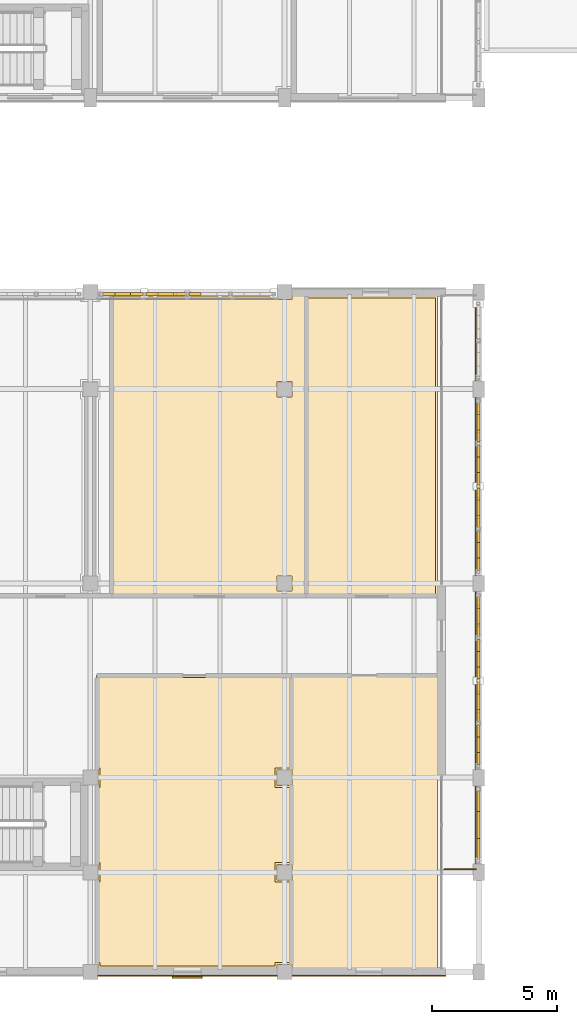
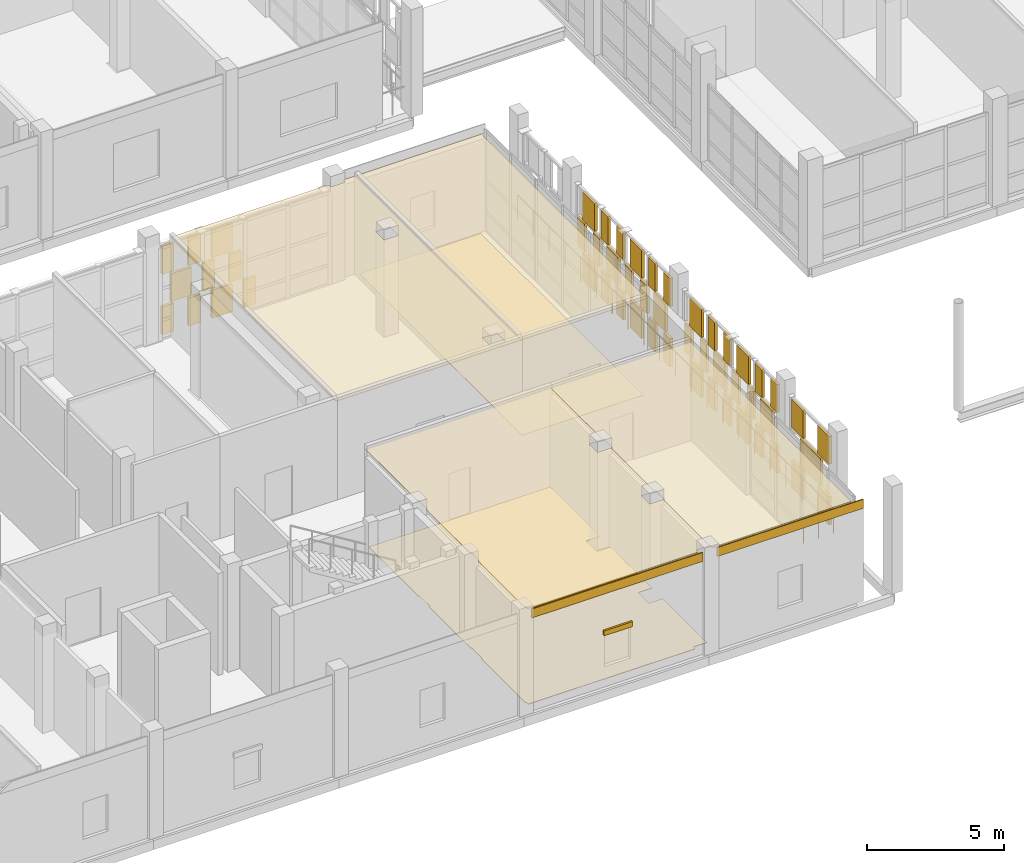
# One storey, part 120 of 138: 59 coverings, 2 railings, 1 shading device.
"""IFC4 building model written with IfcOpenShell, lengths in metres."""

from ifc_helpers import new_model, si_unit, direction, frame, origin, origin_2d, place, context, subcontext, project, spatial, polyline, rectangle, circle, outline, extrude, material, layer, layer_set, type_object, element, save


model = new_model("IFC4")

# Units and contexts
model_context = context("Model", 3, precision=1e-05, world=origin(), true_north=direction((0.0, 1.0)))
body_context = subcontext(model_context, "Body", "Model", "MODEL_VIEW")
ifc_project = project(units=[si_unit("LENGTHUNIT", "METRE"), si_unit("AREAUNIT", "SQUARE_METRE"), si_unit("VOLUMEUNIT", "CUBIC_METRE"), si_unit("PLANEANGLEUNIT", "RADIAN"), si_unit("MASSUNIT", "GRAM", prefix="KILO")], contexts=[model_context])

# Site, building, storey
site_placement = place(None, origin())
site = spatial("IfcSite", under=ifc_project, at=site_placement, CompositionType="ELEMENT")
building_placement = place(site_placement, origin())
building = spatial("IfcBuilding", under=site, at=building_placement, Name="Celorna Specialist Clinic", CompositionType="ELEMENT")
storey_placement = place(building_placement, frame((0.0, 0.0, 4.800048828125)))
storey = spatial("IfcBuildingStorey", under=building, at=storey_placement, Name="L01", CompositionType="ELEMENT", Elevation=4.800048828125)

# Railings
ifc_material_1 = material(Name="Stainless steel and laminated glass balustrade", Category="steel")
railing_type = type_object("IfcRailingType", Name="BL-01", PredefinedType="BALUSTRADE", material=ifc_material_1)
railing_1_placement = place(storey_placement, frame((46.679931640625, 27.179931640625, 0.0)))
element("IfcRailing", 1, at=railing_1_placement, inside=storey, type_object=railing_type, Name="Pharmacy Forecourt Veranda perimeter balustrade 3", PredefinedType="BALUSTRADE", context=body_context, shape_type="SweptSolid", body=[
    extrude(circle(Radius=0.02392578125, at=origin_2d()), frame((0.0, 0.0, 1.09619140625), z_axis=(0.0, -1.0, 0.0), x_axis=(1.0, 0.0, 0.0)), (0.0, 0.0, 1.0), 23.059814453125),
    extrude(circle(Radius=0.02099609375, at=origin_2d()), origin(), (0.0, 0.0, 1.0), 1.072021484375),
    extrude(circle(Radius=0.02099609375, at=origin_2d()), frame((0.0, -1.153076171875, 0.0)), (0.0, 0.0, 1.0), 1.072021484375),
    extrude(circle(Radius=0.02099609375, at=origin_2d()), frame((0.0, -2.305908203125, 0.0)), (0.0, 0.0, 1.0), 1.072021484375),
    extrude(circle(Radius=0.02099609375, at=origin_2d()), frame((0.0, -3.458984375, 0.0)), (0.0, 0.0, 1.0), 1.072021484375),
    extrude(circle(Radius=0.02099609375, at=origin_2d()), frame((0.0, -4.612060546875, 0.0)), (0.0, 0.0, 1.0), 1.072021484375),
    extrude(circle(Radius=0.02099609375, at=origin_2d()), frame((0.0, -5.764892578125, 0.0)), (0.0, 0.0, 1.0), 1.072021484375),
    extrude(circle(Radius=0.02099609375, at=origin_2d()), frame((0.0, -6.91796875, 0.0)), (0.0, 0.0, 1.0), 1.072021484375),
    extrude(circle(Radius=0.02099609375, at=origin_2d()), frame((0.0, -8.071044921875, 0.0)), (0.0, 0.0, 1.0), 1.072021484375),
    extrude(circle(Radius=0.02099609375, at=origin_2d()), frame((0.0, -9.223876953125, 0.0)), (0.0, 0.0, 1.0), 1.072021484375),
    extrude(circle(Radius=0.02099609375, at=origin_2d()), frame((0.0, -10.376953125, 0.0)), (0.0, 0.0, 1.0), 1.072021484375),
    extrude(circle(Radius=0.02099609375, at=origin_2d()), frame((0.0, -11.52978515625, 0.0)), (0.0, 0.0, 1.0), 1.072021484375),
    extrude(circle(Radius=0.02099609375, at=origin_2d()), frame((0.0, -12.682861328125, 0.0)), (0.0, 0.0, 1.0), 1.072021484375),
    extrude(circle(Radius=0.02099609375, at=origin_2d()), frame((0.0, -13.8359375, 0.0)), (0.0, 0.0, 1.0), 1.072021484375),
    extrude(circle(Radius=0.02099609375, at=origin_2d()), frame((0.0, -14.98876953125, 0.0)), (0.0, 0.0, 1.0), 1.072021484375),
    extrude(circle(Radius=0.02099609375, at=origin_2d()), frame((0.0, -16.141845703125, 0.0)), (0.0, 0.0, 1.0), 1.072021484375),
    extrude(circle(Radius=0.02099609375, at=origin_2d()), frame((0.0, -17.294921875, 0.0)), (0.0, 0.0, 1.0), 1.072021484375),
    extrude(circle(Radius=0.02099609375, at=origin_2d()), frame((0.0, -18.44775390625, 0.0)), (0.0, 0.0, 1.0), 1.072021484375),
    extrude(circle(Radius=0.02099609375, at=origin_2d()), frame((0.0, -19.600830078125, 0.0)), (0.0, 0.0, 1.0), 1.072021484375),
    extrude(circle(Radius=0.02099609375, at=origin_2d()), frame((0.0, -20.75390625, 0.0)), (0.0, 0.0, 1.0), 1.072021484375),
    extrude(circle(Radius=0.02099609375, at=origin_2d()), frame((0.0, -21.90673828125, 0.0)), (0.0, 0.0, 1.0), 1.072021484375),
    extrude(circle(Radius=0.02099609375, at=origin_2d()), frame((0.0, -23.059814453125, 0.0)), (0.0, 0.0, 1.0), 1.072021484375),
])
railing_2_placement = place(storey_placement, frame((46.679931640625, 4.1201171875, 0.0)))
element("IfcRailing", 2, at=railing_2_placement, inside=storey, type_object=railing_type, Name="Pharmacy Forecourt Veranda perimeter balustrade 4", PredefinedType="BALUSTRADE", context=body_context, shape_type="SweptSolid", body=[
    extrude(circle(Radius=0.02392578125, at=origin_2d()), frame((0.0, 0.0, 1.09619140625), z_axis=(-1.0, 0.0, 0.0), x_axis=(0.0, -1.0, 0.0)), (0.0, 0.0, 1.0), 1.260009765625),
    extrude(circle(Radius=0.02099609375, at=origin_2d()), origin(), (0.0, 0.0, 1.0), 1.072021484375),
    extrude(circle(Radius=0.02099609375, at=origin_2d()), frame((-0.6298828125, 0.0, 0.0)), (0.0, 0.0, 1.0), 1.072021484375),
    extrude(circle(Radius=0.02099609375, at=origin_2d()), frame((-1.260009765625, 0.0, 0.0)), (0.0, 0.0, 1.0), 1.072021484375),
])

# Coverings
ifc_material_2 = material(Name="Hygienic acoustic mineral-fibre ceiling")
ifc_layer_1 = layer(ifc_material_2, 0.030029296875, Name="Hygienic acoustic mineral-fibre ceiling")
ifc_layer_set_1 = layer_set([ifc_layer_1], Name="Hygienic acoustic mineral-fibre ceiling")
covering_type_1 = type_object("IfcCoveringType", Name="CE-01", PredefinedType="CEILING", material=ifc_layer_set_1)
covering_1_placement = place(storey_placement, frame((0.0, 0.0, 4.329833984375)))
element("IfcCovering", 3, at=covering_1_placement, inside=storey, type_object=covering_type_1, Name="Acoustic ceiling L01-097", PredefinedType="CEILING", context=body_context, shape_type="SweptSolid", body=[
    extrude(outline(polyline([(31.455078125, 3.695068359375), (31.5048828125, 3.695068359375), (31.5048828125, 4.304931640625), (31.455078125, 4.304931640625), (31.455078125, 7.4951171875), (31.5048828125, 7.4951171875), (31.5048828125, 8.10498046875), (31.455078125, 8.10498046875), (31.455078125, 11.9150390625), (39.284912109375, 11.9150390625), (39.284912109375, 8.10498046875), (38.695068359375, 8.10498046875), (38.695068359375, 7.4951171875), (39.284912109375, 7.4951171875), (39.284912109375, 4.304931640625), (38.695068359375, 4.304931640625), (38.695068359375, 3.695068359375), (39.284912109375, 3.695068359375), (39.284912109375, 0.304931640625), (38.695068359375, 0.304931640625), (38.695068359375, 0.155029296875), (31.5048828125, 0.155029296875), (31.5048828125, 0.304931640625), (31.455078125, 0.304931640625), (31.455078125, 3.695068359375)])), origin(), (0.0, 0.0, 1.0), 0.030029296875),
])
covering_2_placement = place(storey_placement, frame((0.0, 0.0, 4.329833984375)))
element("IfcCovering", 4, at=covering_2_placement, inside=storey, type_object=covering_type_1, Name="Acoustic ceiling L01-098", PredefinedType="CEILING", context=body_context, shape_type="SweptSolid", body=[
    extrude(outline(polyline([(39.2548828125, 3.695068359375), (39.304931640625, 3.695068359375), (39.304931640625, 4.304931640625), (39.2548828125, 4.304931640625), (39.2548828125, 7.4951171875), (39.304931640625, 7.4951171875), (39.304931640625, 8.10498046875), (39.2548828125, 8.10498046875), (39.2548828125, 11.9150390625), (45.14501953125, 11.9150390625), (45.14501953125, 0.155029296875), (39.304931640625, 0.155029296875), (39.304931640625, 0.304931640625), (39.2548828125, 0.304931640625), (39.2548828125, 3.695068359375)])), origin(), (0.0, 0.0, 1.0), 0.030029296875),
])
covering_3_placement = place(storey_placement, frame((0.0, 0.0, 4.329833984375)))
element("IfcCovering", 5, at=covering_3_placement, inside=storey, type_object=covering_type_1, Name="Acoustic ceiling L01-102", PredefinedType="CEILING", context=body_context, shape_type="SweptSolid", body=[
    extrude(outline(polyline([(38.695068359375, 27.14501953125), (38.695068359375, 26.9951171875), (39.304931640625, 26.9951171875), (39.304931640625, 27.14501953125), (39.885009765625, 27.14501953125), (39.885009765625, 15.0849609375), (32.054931640625, 15.0849609375), (32.054931640625, 27.14501953125), (38.695068359375, 27.14501953125)]), holes=[polyline([(39.304931640625, 15.905029296875), (38.695068359375, 15.905029296875), (38.695068359375, 15.294921875), (39.304931640625, 15.294921875), (39.304931640625, 15.905029296875)]), polyline([(39.304931640625, 23.094970703125), (39.304931640625, 23.705078125), (38.695068359375, 23.705078125), (38.695068359375, 23.094970703125), (39.304931640625, 23.094970703125)])]), origin(), (0.0, 0.0, 1.0), 0.030029296875),
])
covering_4_placement = place(storey_placement, frame((0.0, 0.0, 4.329833984375)))
element("IfcCovering", 6, at=covering_4_placement, inside=storey, type_object=covering_type_1, Name="Acoustic ceiling L01-103", PredefinedType="CEILING", context=body_context, shape_type="SweptSolid", body=[
    extrude(outline(polyline([(45.14501953125, 27.14501953125), (45.14501953125, 15.0849609375), (39.85498046875, 15.0849609375), (39.85498046875, 27.14501953125), (45.14501953125, 27.14501953125)])), origin(), (0.0, 0.0, 1.0), 0.030029296875),
])
ifc_material_3 = material(Name="Pero Pinheiro Lioz limestone rainscreen cladding", Category="masonry")
ifc_layer_2 = layer(ifc_material_3, 0.044921875, Name="Pero Pinheiro Lioz limestone rainscreen cladding")
ifc_layer_set_2 = layer_set([ifc_layer_2], Name="Pero Pinheiro Lioz limestone rainscreen cladding")
covering_type_2 = type_object("IfcCoveringType", Name="CL-01", PredefinedType="CLADDING", material=ifc_layer_set_2)
covering_5_placement = place(storey_placement, frame((35.10009765625, -0.1474609375, 4.139892578125), z_axis=(0.0, 0.0, 1.0), x_axis=(-1.0, 0.0, 0.0)))
element("IfcCovering", 7, at=covering_5_placement, inside=storey, type_object=covering_type_2, Name="Lioz spandrel cladding #324", PredefinedType="CLADDING", context=body_context, shape_type="SweptSolid", body=[
    extrude(rectangle(XDim=7.199951171875, YDim=0.044921875, at=origin_2d()), origin(), (0.0, 0.0, 1.0), 0.39990234375),
])
covering_6_placement = place(storey_placement, frame((42.385009765625, -0.1474609375, 4.139892578125), z_axis=(0.0, 0.0, 1.0), x_axis=(-1.0, 0.0, 0.0)))
element("IfcCovering", 8, at=covering_6_placement, inside=storey, type_object=covering_type_2, Name="Lioz spandrel cladding #325", PredefinedType="CLADDING", context=body_context, shape_type="SweptSolid", body=[
    extrude(rectangle(XDim=6.169921875, YDim=0.044921875, at=origin_2d()), origin(), (0.0, 0.0, 1.0), 0.39990234375),
])
ifc_material_4 = material(Name="Perforated terracotta brick weave cladding", Category="masonry")
ifc_layer_3 = layer(ifc_material_4, 0.114990234375, Name="Perforated terracotta brick weave cladding")
ifc_layer_set_3 = layer_set([ifc_layer_3], Name="Perforated terracotta brick weave cladding")
covering_type_3 = type_object("IfcCoveringType", Name="CL-02", PredefinedType="CLADDING", material=ifc_layer_set_3)
for number, where, z_axis, x_axis, name in (
    (9, (46.7900390625, 4.9443359375, 0.10009765625), (0.0, 0.0, 1.0), (0.0, 1.0, 0.0), "Woven perforated terracotta brick course #1382"),
    (10, (46.7900390625, 6.855712890625, 0.10009765625), (0.0, 0.0, 1.0), (0.0, 1.0, 0.0), "Woven perforated terracotta brick course #1383"),
):
    element("IfcCovering", number, at=place(storey_placement, frame(where, z_axis=z_axis, x_axis=x_axis)), inside=storey, type_object=covering_type_3, Name=name, PredefinedType="CLADDING", context=body_context, shape_type="SweptSolid", body=[
        extrude(rectangle(XDim=0.838623046875, YDim=0.114990234375, at=origin_2d()), origin(), (0.0, 0.0, 1.0), 1.24658203125),
    ])
covering_7_placement = place(storey_placement, frame((46.7900390625, 5.89990234375, 1.44677734375), z_axis=(0.0, 0.0, 1.0), x_axis=(0.0, 1.0, 0.0)))
element("IfcCovering", 11, at=covering_7_placement, inside=storey, type_object=covering_type_3, Name="Woven perforated terracotta brick course #1384", PredefinedType="CLADDING", context=body_context, shape_type="SweptSolid", body=[
    extrude(rectangle(XDim=1.485107421875, YDim=0.114990234375, at=origin_2d()), origin(), (0.0, 0.0, 1.0), 1.24658203125),
])
for number, where, z_axis, x_axis, name in (
    (12, (46.7900390625, 4.9443359375, 2.793212890625), (0.0, 0.0, 1.0), (0.0, 1.0, 0.0), "Woven perforated terracotta brick course #1385"),
    (13, (46.7900390625, 6.855712890625, 2.793212890625), (0.0, 0.0, 1.0), (0.0, 1.0, 0.0), "Woven perforated terracotta brick course #1386"),
):
    element("IfcCovering", number, at=place(storey_placement, frame(where, z_axis=z_axis, x_axis=x_axis)), inside=storey, type_object=covering_type_3, Name=name, PredefinedType="CLADDING", context=body_context, shape_type="SweptSolid", body=[
        extrude(rectangle(XDim=0.838623046875, YDim=0.114990234375, at=origin_2d()), origin(), (0.0, 0.0, 1.0), 1.24658203125),
    ])
for number, where, z_axis, x_axis, name in (
    (14, (46.7900390625, 8.568603515625, 0.10009765625), (0.0, 0.0, 1.0), (0.0, 1.0, 0.0), "Woven perforated terracotta brick course #1387"),
    (15, (46.7900390625, 9.678955078125, 0.10009765625), (0.0, 0.0, 1.0), (0.0, 1.0, 0.0), "Woven perforated terracotta brick course #1388"),
):
    element("IfcCovering", number, at=place(storey_placement, frame(where, z_axis=z_axis, x_axis=x_axis)), inside=storey, type_object=covering_type_3, Name=name, PredefinedType="CLADDING", context=body_context, shape_type="SweptSolid", body=[
        extrude(rectangle(XDim=0.4873046875, YDim=0.114990234375, at=origin_2d()), origin(), (0.0, 0.0, 1.0), 1.24658203125),
    ])
covering_8_placement = place(storey_placement, frame((46.7900390625, 9.123779296875, 1.44677734375), z_axis=(0.0, 0.0, 1.0), x_axis=(0.0, 1.0, 0.0)))
element("IfcCovering", 16, at=covering_8_placement, inside=storey, type_object=covering_type_3, Name="Woven perforated terracotta brick course #1389", PredefinedType="CLADDING", context=body_context, shape_type="SweptSolid", body=[
    extrude(rectangle(XDim=0.862548828125, YDim=0.114990234375, at=origin_2d()), origin(), (0.0, 0.0, 1.0), 1.24658203125),
])
for number, where, z_axis, x_axis, name in (
    (17, (46.7900390625, 8.568603515625, 2.793212890625), (0.0, 0.0, 1.0), (0.0, 1.0, 0.0), "Woven perforated terracotta brick course #1390"),
    (18, (46.7900390625, 9.678955078125, 2.793212890625), (0.0, 0.0, 1.0), (0.0, 1.0, 0.0), "Woven perforated terracotta brick course #1391"),
):
    element("IfcCovering", number, at=place(storey_placement, frame(where, z_axis=z_axis, x_axis=x_axis)), inside=storey, type_object=covering_type_3, Name=name, PredefinedType="CLADDING", context=body_context, shape_type="SweptSolid", body=[
        extrude(rectangle(XDim=0.4873046875, YDim=0.114990234375, at=origin_2d()), origin(), (0.0, 0.0, 1.0), 1.24658203125),
    ])
covering_9_placement = place(storey_placement, frame((46.7900390625, 10.84130859375, 0.10009765625), z_axis=(0.0, 0.0, 1.0), x_axis=(0.0, 1.0, 0.0)))
element("IfcCovering", 19, at=covering_9_placement, inside=storey, type_object=covering_type_3, Name="Woven perforated terracotta brick course #1392", PredefinedType="CLADDING", context=body_context, shape_type="SweptSolid", body=[
    extrude(rectangle(XDim=0.862548828125, YDim=0.114990234375, at=origin_2d()), origin(), (0.0, 0.0, 1.0), 1.24658203125),
])
for number, where, z_axis, x_axis, name in (
    (20, (46.7900390625, 10.2861328125, 1.44677734375), (0.0, 0.0, 1.0), (0.0, 1.0, 0.0), "Woven perforated terracotta brick course #1393"),
    (21, (46.7900390625, 11.396484375, 1.44677734375), (0.0, 0.0, 1.0), (0.0, 1.0, 0.0), "Woven perforated terracotta brick course #1394"),
):
    element("IfcCovering", number, at=place(storey_placement, frame(where, z_axis=z_axis, x_axis=x_axis)), inside=storey, type_object=covering_type_3, Name=name, PredefinedType="CLADDING", context=body_context, shape_type="SweptSolid", body=[
        extrude(rectangle(XDim=0.4873046875, YDim=0.114990234375, at=origin_2d()), origin(), (0.0, 0.0, 1.0), 1.24658203125),
    ])
covering_10_placement = place(storey_placement, frame((46.7900390625, 10.84130859375, 2.793212890625), z_axis=(0.0, 0.0, 1.0), x_axis=(0.0, 1.0, 0.0)))
element("IfcCovering", 22, at=covering_10_placement, inside=storey, type_object=covering_type_3, Name="Woven perforated terracotta brick course #1395", PredefinedType="CLADDING", context=body_context, shape_type="SweptSolid", body=[
    extrude(rectangle(XDim=0.862548828125, YDim=0.114990234375, at=origin_2d()), origin(), (0.0, 0.0, 1.0), 1.24658203125),
])
for number, where, z_axis, x_axis, name in (
    (23, (46.7900390625, 12.003662109375, 0.10009765625), (0.0, 0.0, 1.0), (0.0, 1.0, 0.0), "Woven perforated terracotta brick course #1396"),
    (24, (46.7900390625, 13.114013671875, 0.10009765625), (0.0, 0.0, 1.0), (0.0, 1.0, 0.0), "Woven perforated terracotta brick course #1397"),
):
    element("IfcCovering", number, at=place(storey_placement, frame(where, z_axis=z_axis, x_axis=x_axis)), inside=storey, type_object=covering_type_3, Name=name, PredefinedType="CLADDING", context=body_context, shape_type="SweptSolid", body=[
        extrude(rectangle(XDim=0.4873046875, YDim=0.114990234375, at=origin_2d()), origin(), (0.0, 0.0, 1.0), 1.24658203125),
    ])
covering_11_placement = place(storey_placement, frame((46.7900390625, 12.55859375, 1.44677734375), z_axis=(0.0, 0.0, 1.0), x_axis=(0.0, 1.0, 0.0)))
element("IfcCovering", 25, at=covering_11_placement, inside=storey, type_object=covering_type_3, Name="Woven perforated terracotta brick course #1398", PredefinedType="CLADDING", context=body_context, shape_type="SweptSolid", body=[
    extrude(rectangle(XDim=0.862548828125, YDim=0.114990234375, at=origin_2d()), origin(), (0.0, 0.0, 1.0), 1.24658203125),
])
for number, where, z_axis, x_axis, name in (
    (26, (46.7900390625, 12.003662109375, 2.793212890625), (0.0, 0.0, 1.0), (0.0, 1.0, 0.0), "Woven perforated terracotta brick course #1399"),
    (27, (46.7900390625, 13.114013671875, 2.793212890625), (0.0, 0.0, 1.0), (0.0, 1.0, 0.0), "Woven perforated terracotta brick course #1400"),
):
    element("IfcCovering", number, at=place(storey_placement, frame(where, z_axis=z_axis, x_axis=x_axis)), inside=storey, type_object=covering_type_3, Name=name, PredefinedType="CLADDING", context=body_context, shape_type="SweptSolid", body=[
        extrude(rectangle(XDim=0.4873046875, YDim=0.114990234375, at=origin_2d()), origin(), (0.0, 0.0, 1.0), 1.24658203125),
    ])
covering_12_placement = place(storey_placement, frame((46.7900390625, 14.2763671875, 0.10009765625), z_axis=(0.0, 0.0, 1.0), x_axis=(0.0, 1.0, 0.0)))
element("IfcCovering", 28, at=covering_12_placement, inside=storey, type_object=covering_type_3, Name="Woven perforated terracotta brick course #1401", PredefinedType="CLADDING", context=body_context, shape_type="SweptSolid", body=[
    extrude(rectangle(XDim=0.862548828125, YDim=0.114990234375, at=origin_2d()), origin(), (0.0, 0.0, 1.0), 1.24658203125),
])
for number, where, z_axis, x_axis, name in (
    (29, (46.7900390625, 13.72119140625, 1.44677734375), (0.0, 0.0, 1.0), (0.0, 1.0, 0.0), "Woven perforated terracotta brick course #1402"),
    (30, (46.7900390625, 14.831298828125, 1.44677734375), (0.0, 0.0, 1.0), (0.0, 1.0, 0.0), "Woven perforated terracotta brick course #1403"),
):
    element("IfcCovering", number, at=place(storey_placement, frame(where, z_axis=z_axis, x_axis=x_axis)), inside=storey, type_object=covering_type_3, Name=name, PredefinedType="CLADDING", context=body_context, shape_type="SweptSolid", body=[
        extrude(rectangle(XDim=0.4873046875, YDim=0.114990234375, at=origin_2d()), origin(), (0.0, 0.0, 1.0), 1.24658203125),
    ])
covering_13_placement = place(storey_placement, frame((46.7900390625, 14.2763671875, 2.793212890625), z_axis=(0.0, 0.0, 1.0), x_axis=(0.0, 1.0, 0.0)))
element("IfcCovering", 31, at=covering_13_placement, inside=storey, type_object=covering_type_3, Name="Woven perforated terracotta brick course #1404", PredefinedType="CLADDING", context=body_context, shape_type="SweptSolid", body=[
    extrude(rectangle(XDim=0.862548828125, YDim=0.114990234375, at=origin_2d()), origin(), (0.0, 0.0, 1.0), 1.24658203125),
])
for number, where, z_axis, x_axis, name in (
    (32, (46.7900390625, 16.36865234375, 0.10009765625), (0.0, 0.0, 1.0), (0.0, 1.0, 0.0), "Woven perforated terracotta brick course #1405"),
    (33, (46.7900390625, 17.47900390625, 0.10009765625), (0.0, 0.0, 1.0), (0.0, 1.0, 0.0), "Woven perforated terracotta brick course #1406"),
):
    element("IfcCovering", number, at=place(storey_placement, frame(where, z_axis=z_axis, x_axis=x_axis)), inside=storey, type_object=covering_type_3, Name=name, PredefinedType="CLADDING", context=body_context, shape_type="SweptSolid", body=[
        extrude(rectangle(XDim=0.4873046875, YDim=0.114990234375, at=origin_2d()), origin(), (0.0, 0.0, 1.0), 1.24658203125),
    ])
covering_14_placement = place(storey_placement, frame((46.7900390625, 16.923583984375, 1.44677734375), z_axis=(0.0, 0.0, 1.0), x_axis=(0.0, 1.0, 0.0)))
element("IfcCovering", 34, at=covering_14_placement, inside=storey, type_object=covering_type_3, Name="Woven perforated terracotta brick course #1407", PredefinedType="CLADDING", context=body_context, shape_type="SweptSolid", body=[
    extrude(rectangle(XDim=0.86279296875, YDim=0.114990234375, at=origin_2d()), origin(), (0.0, 0.0, 1.0), 1.24658203125),
])
for number, where, z_axis, x_axis, name in (
    (35, (46.7900390625, 16.36865234375, 2.793212890625), (0.0, 0.0, 1.0), (0.0, 1.0, 0.0), "Woven perforated terracotta brick course #1408"),
    (36, (46.7900390625, 17.47900390625, 2.793212890625), (0.0, 0.0, 1.0), (0.0, 1.0, 0.0), "Woven perforated terracotta brick course #1409"),
):
    element("IfcCovering", number, at=place(storey_placement, frame(where, z_axis=z_axis, x_axis=x_axis)), inside=storey, type_object=covering_type_3, Name=name, PredefinedType="CLADDING", context=body_context, shape_type="SweptSolid", body=[
        extrude(rectangle(XDim=0.4873046875, YDim=0.114990234375, at=origin_2d()), origin(), (0.0, 0.0, 1.0), 1.24658203125),
    ])
covering_15_placement = place(storey_placement, frame((46.7900390625, 18.64111328125, 0.10009765625), z_axis=(0.0, 0.0, 1.0), x_axis=(0.0, 1.0, 0.0)))
element("IfcCovering", 37, at=covering_15_placement, inside=storey, type_object=covering_type_3, Name="Woven perforated terracotta brick course #1410", PredefinedType="CLADDING", context=body_context, shape_type="SweptSolid", body=[
    extrude(rectangle(XDim=0.86279296875, YDim=0.114990234375, at=origin_2d()), origin(), (0.0, 0.0, 1.0), 1.24658203125),
])
for number, where, z_axis, x_axis, name in (
    (38, (46.7900390625, 18.086181640625, 1.44677734375), (0.0, 0.0, 1.0), (0.0, 1.0, 0.0), "Woven perforated terracotta brick course #1411"),
    (39, (46.7900390625, 19.1962890625, 1.44677734375), (0.0, 0.0, 1.0), (0.0, 1.0, 0.0), "Woven perforated terracotta brick course #1412"),
):
    element("IfcCovering", number, at=place(storey_placement, frame(where, z_axis=z_axis, x_axis=x_axis)), inside=storey, type_object=covering_type_3, Name=name, PredefinedType="CLADDING", context=body_context, shape_type="SweptSolid", body=[
        extrude(rectangle(XDim=0.4873046875, YDim=0.114990234375, at=origin_2d()), origin(), (0.0, 0.0, 1.0), 1.24658203125),
    ])
covering_16_placement = place(storey_placement, frame((46.7900390625, 18.64111328125, 2.793212890625), z_axis=(0.0, 0.0, 1.0), x_axis=(0.0, 1.0, 0.0)))
element("IfcCovering", 40, at=covering_16_placement, inside=storey, type_object=covering_type_3, Name="Woven perforated terracotta brick course #1413", PredefinedType="CLADDING", context=body_context, shape_type="SweptSolid", body=[
    extrude(rectangle(XDim=0.86279296875, YDim=0.114990234375, at=origin_2d()), origin(), (0.0, 0.0, 1.0), 1.24658203125),
])
for number, where, z_axis, x_axis, name in (
    (41, (46.7900390625, 19.8037109375, 0.10009765625), (0.0, 0.0, 1.0), (0.0, 1.0, 0.0), "Woven perforated terracotta brick course #1414"),
    (42, (46.7900390625, 20.913818359375, 0.10009765625), (0.0, 0.0, 1.0), (0.0, 1.0, 0.0), "Woven perforated terracotta brick course #1415"),
):
    element("IfcCovering", number, at=place(storey_placement, frame(where, z_axis=z_axis, x_axis=x_axis)), inside=storey, type_object=covering_type_3, Name=name, PredefinedType="CLADDING", context=body_context, shape_type="SweptSolid", body=[
        extrude(rectangle(XDim=0.4873046875, YDim=0.114990234375, at=origin_2d()), origin(), (0.0, 0.0, 1.0), 1.24658203125),
    ])
covering_17_placement = place(storey_placement, frame((46.7900390625, 20.35888671875, 1.44677734375), z_axis=(0.0, 0.0, 1.0), x_axis=(0.0, 1.0, 0.0)))
element("IfcCovering", 43, at=covering_17_placement, inside=storey, type_object=covering_type_3, Name="Woven perforated terracotta brick course #1416", PredefinedType="CLADDING", context=body_context, shape_type="SweptSolid", body=[
    extrude(rectangle(XDim=0.86279296875, YDim=0.114990234375, at=origin_2d()), origin(), (0.0, 0.0, 1.0), 1.24658203125),
])
for number, where, z_axis, x_axis, name in (
    (44, (46.7900390625, 19.8037109375, 2.793212890625), (0.0, 0.0, 1.0), (0.0, 1.0, 0.0), "Woven perforated terracotta brick course #1417"),
    (45, (46.7900390625, 20.913818359375, 2.793212890625), (0.0, 0.0, 1.0), (0.0, 1.0, 0.0), "Woven perforated terracotta brick course #1418"),
):
    element("IfcCovering", number, at=place(storey_placement, frame(where, z_axis=z_axis, x_axis=x_axis)), inside=storey, type_object=covering_type_3, Name=name, PredefinedType="CLADDING", context=body_context, shape_type="SweptSolid", body=[
        extrude(rectangle(XDim=0.4873046875, YDim=0.114990234375, at=origin_2d()), origin(), (0.0, 0.0, 1.0), 1.24658203125),
    ])
covering_18_placement = place(storey_placement, frame((46.7900390625, 22.076416015625, 0.10009765625), z_axis=(0.0, 0.0, 1.0), x_axis=(0.0, 1.0, 0.0)))
element("IfcCovering", 46, at=covering_18_placement, inside=storey, type_object=covering_type_3, Name="Woven perforated terracotta brick course #1419", PredefinedType="CLADDING", context=body_context, shape_type="SweptSolid", body=[
    extrude(rectangle(XDim=0.86279296875, YDim=0.114990234375, at=origin_2d()), origin(), (0.0, 0.0, 1.0), 1.24658203125),
])
for number, where, z_axis, x_axis, name in (
    (47, (46.7900390625, 21.52099609375, 1.44677734375), (0.0, 0.0, 1.0), (0.0, 1.0, 0.0), "Woven perforated terracotta brick course #1420"),
    (48, (46.7900390625, 22.63134765625, 1.44677734375), (0.0, 0.0, 1.0), (0.0, 1.0, 0.0), "Woven perforated terracotta brick course #1421"),
):
    element("IfcCovering", number, at=place(storey_placement, frame(where, z_axis=z_axis, x_axis=x_axis)), inside=storey, type_object=covering_type_3, Name=name, PredefinedType="CLADDING", context=body_context, shape_type="SweptSolid", body=[
        extrude(rectangle(XDim=0.4873046875, YDim=0.114990234375, at=origin_2d()), origin(), (0.0, 0.0, 1.0), 1.24658203125),
    ])
covering_19_placement = place(storey_placement, frame((46.7900390625, 22.076416015625, 2.793212890625), z_axis=(0.0, 0.0, 1.0), x_axis=(0.0, 1.0, 0.0)))
element("IfcCovering", 49, at=covering_19_placement, inside=storey, type_object=covering_type_3, Name="Woven perforated terracotta brick course #1422", PredefinedType="CLADDING", context=body_context, shape_type="SweptSolid", body=[
    extrude(rectangle(XDim=0.86279296875, YDim=0.114990234375, at=origin_2d()), origin(), (0.0, 0.0, 1.0), 1.24658203125),
])
for number, where, z_axis, x_axis, name in (
    (50, (31.945556640625, 27.22998046875, 0.10009765625), (0.0, 0.0, 1.0), (1.0, 0.0, 0.0), "Woven perforated terracotta brick course #1500"),
    (51, (33.064453125, 27.22998046875, 0.10009765625), (0.0, 0.0, 1.0), (1.0, 0.0, 0.0), "Woven perforated terracotta brick course #1501"),
):
    element("IfcCovering", number, at=place(storey_placement, frame(where, z_axis=z_axis, x_axis=x_axis)), inside=storey, type_object=covering_type_3, Name=name, PredefinedType="CLADDING", context=body_context, shape_type="SweptSolid", body=[
        extrude(rectangle(XDim=0.4912109375, YDim=0.114990234375, at=origin_2d()), origin(), (0.0, 0.0, 1.0), 1.24658203125),
    ])
covering_20_placement = place(storey_placement, frame((32.5048828125, 27.22998046875, 1.44677734375), z_axis=(0.0, 0.0, 1.0), x_axis=(1.0, 0.0, 0.0)))
element("IfcCovering", 52, at=covering_20_placement, inside=storey, type_object=covering_type_3, Name="Woven perforated terracotta brick course #1502", PredefinedType="CLADDING", context=body_context, shape_type="SweptSolid", body=[
    extrude(rectangle(XDim=0.869384765625, YDim=0.114990234375, at=origin_2d()), origin(), (0.0, 0.0, 1.0), 1.24658203125),
])
for number, where, z_axis, x_axis, name in (
    (53, (31.945556640625, 27.22998046875, 2.793212890625), (0.0, 0.0, 1.0), (1.0, 0.0, 0.0), "Woven perforated terracotta brick course #1503"),
    (54, (33.064453125, 27.22998046875, 2.793212890625), (0.0, 0.0, 1.0), (1.0, 0.0, 0.0), "Woven perforated terracotta brick course #1504"),
):
    element("IfcCovering", number, at=place(storey_placement, frame(where, z_axis=z_axis, x_axis=x_axis)), inside=storey, type_object=covering_type_3, Name=name, PredefinedType="CLADDING", context=body_context, shape_type="SweptSolid", body=[
        extrude(rectangle(XDim=0.4912109375, YDim=0.114990234375, at=origin_2d()), origin(), (0.0, 0.0, 1.0), 1.24658203125),
    ])
covering_21_placement = place(storey_placement, frame((34.235107421875, 27.22998046875, 0.10009765625), z_axis=(0.0, 0.0, 1.0), x_axis=(1.0, 0.0, 0.0)))
element("IfcCovering", 55, at=covering_21_placement, inside=storey, type_object=covering_type_3, Name="Woven perforated terracotta brick course #1505", PredefinedType="CLADDING", context=body_context, shape_type="SweptSolid", body=[
    extrude(rectangle(XDim=0.869384765625, YDim=0.114990234375, at=origin_2d()), origin(), (0.0, 0.0, 1.0), 1.24658203125),
])
for number, where, z_axis, x_axis, name in (
    (56, (33.675537109375, 27.22998046875, 1.44677734375), (0.0, 0.0, 1.0), (1.0, 0.0, 0.0), "Woven perforated terracotta brick course #1506"),
    (57, (34.79443359375, 27.22998046875, 1.44677734375), (0.0, 0.0, 1.0), (1.0, 0.0, 0.0), "Woven perforated terracotta brick course #1507"),
):
    element("IfcCovering", number, at=place(storey_placement, frame(where, z_axis=z_axis, x_axis=x_axis)), inside=storey, type_object=covering_type_3, Name=name, PredefinedType="CLADDING", context=body_context, shape_type="SweptSolid", body=[
        extrude(rectangle(XDim=0.4912109375, YDim=0.114990234375, at=origin_2d()), origin(), (0.0, 0.0, 1.0), 1.24658203125),
    ])
covering_22_placement = place(storey_placement, frame((34.235107421875, 27.22998046875, 2.793212890625), z_axis=(0.0, 0.0, 1.0), x_axis=(1.0, 0.0, 0.0)))
element("IfcCovering", 58, at=covering_22_placement, inside=storey, type_object=covering_type_3, Name="Woven perforated terracotta brick course #1508", PredefinedType="CLADDING", context=body_context, shape_type="SweptSolid", body=[
    extrude(rectangle(XDim=0.869384765625, YDim=0.114990234375, at=origin_2d()), origin(), (0.0, 0.0, 1.0), 1.24658203125),
])
covering_23_placement = place(storey_placement, frame((35.405517578125, 27.22998046875, 0.10009765625), z_axis=(0.0, 0.0, 1.0), x_axis=(1.0, 0.0, 0.0)))
element("IfcCovering", 59, at=covering_23_placement, inside=storey, type_object=covering_type_3, Name="Woven perforated terracotta brick course #1509", PredefinedType="CLADDING", context=body_context, shape_type="SweptSolid", body=[
    extrude(rectangle(XDim=0.4912109375, YDim=0.114990234375, at=origin_2d()), origin(), (0.0, 0.0, 1.0), 1.24658203125),
])
ifc_material_5 = material(Name="Seamless antimicrobial clinical vinyl and Lioz terrazzo flooring")
ifc_layer_4 = layer(ifc_material_5, 0.02001953125, Name="Seamless antimicrobial clinical vinyl and Lioz terrazzo flooring")
ifc_layer_set_4 = layer_set([ifc_layer_4], Name="Seamless antimicrobial clinical vinyl and Lioz terrazzo flooring")
covering_type_4 = type_object("IfcCoveringType", Name="FL-01", PredefinedType="FLOORING", material=ifc_layer_set_4)
covering_24_placement = place(storey_placement, origin())
element("IfcCovering", 60, at=covering_24_placement, inside=storey, type_object=covering_type_4, Name="Antimicrobial clinical flooring L01-097", PredefinedType="FLOORING", context=body_context, shape_type="SweptSolid", body=[
    extrude(outline(polyline([(31.544921875, 0.385009765625), (31.544921875, 3.614990234375), (31.5849609375, 3.614990234375), (31.5849609375, 4.385009765625), (31.544921875, 4.385009765625), (31.544921875, 7.4150390625), (31.5849609375, 7.4150390625), (31.5849609375, 8.18505859375), (31.544921875, 8.18505859375), (31.544921875, 11.824951171875), (39.195068359375, 11.824951171875), (39.195068359375, 8.18505859375), (38.614990234375, 8.18505859375), (38.614990234375, 7.4150390625), (39.195068359375, 7.4150390625), (39.195068359375, 4.385009765625), (38.614990234375, 4.385009765625), (38.614990234375, 3.614990234375), (39.195068359375, 3.614990234375), (39.195068359375, 0.385009765625), (38.614990234375, 0.385009765625), (38.614990234375, 0.2451171875), (31.5849609375, 0.2451171875), (31.5849609375, 0.385009765625), (31.544921875, 0.385009765625)])), origin(), (0.0, 0.0, 1.0), 0.02001953125),
])
covering_25_placement = place(storey_placement, origin())
element("IfcCovering", 61, at=covering_25_placement, inside=storey, type_object=covering_type_4, Name="Antimicrobial clinical flooring L01-103", PredefinedType="FLOORING", context=body_context, shape_type="SweptSolid", body=[
    extrude(outline(polyline([(39.945068359375, 27.054931640625), (45.054931640625, 27.054931640625), (45.054931640625, 15.175048828125), (39.945068359375, 15.175048828125), (39.945068359375, 27.054931640625)])), origin(), (0.0, 0.0, 1.0), 0.02001953125),
])

# Shading device
ifc_material_6 = material(Name="Anodized aluminium solar louvre", Category="aluminium")
ifc_layer_5 = layer(ifc_material_6, 0.080078125, Name="Anodized aluminium solar louvre")
ifc_layer_set_5 = layer_set([ifc_layer_5], Name="Anodized aluminium solar louvre")
shading_device_type = type_object("IfcShadingDeviceType", Name="LV-01", PredefinedType="JALOUSIE", material=ifc_layer_set_5)
shading_device_placement = place(storey_placement, frame((35.10009765625, -0.2099609375, 2.33984375), z_axis=(0.0, 0.0, 1.0), x_axis=(-1.0, 0.0, 0.0)))
element("IfcShadingDevice", 62, at=shading_device_placement, inside=storey, type_object=shading_device_type, Name="External solar louvre LV-01 #196", PredefinedType="JALOUSIE", context=body_context, shape_type="SweptSolid", body=[
    extrude(rectangle(XDim=1.199951171875, YDim=0.080078125, at=origin_2d()), origin(), (0.0, 0.0, 1.0), 0.219970703125),
])

save(model, "model.ifc")
